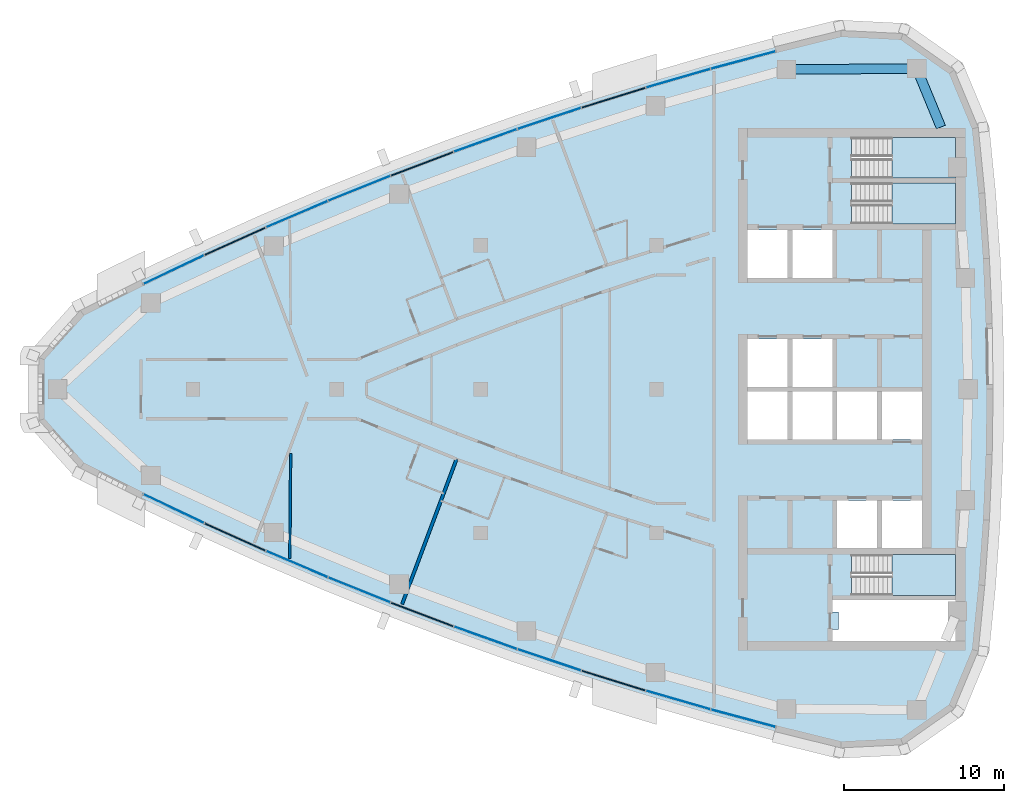
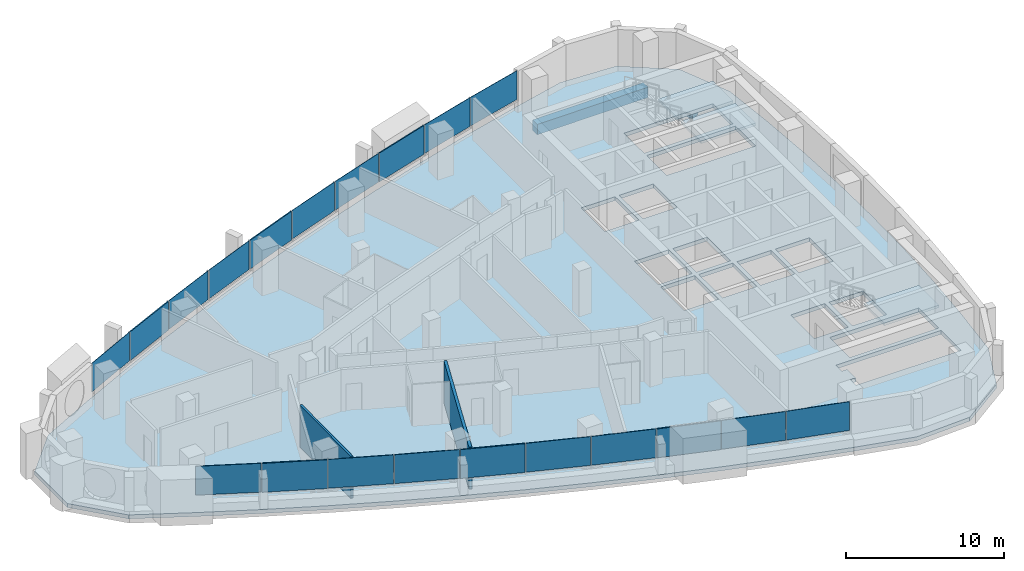
# One storey, part 7 of 15: 20 plates, 4 slabs, 2 beams, 2 walls, 1 opening, 13 elements without a shape of their own.
"""IFC4 building model written with IfcOpenShell, lengths in metres."""

from ifc_helpers import new_model, si_unit, direction, frame, frame_2d, origin, origin_2d, place, context, subcontext, project, spatial, polyline, rectangle, outline, extrude, material, layer, layer_set, material_profile, profile_set, type_object, element, aggregate, save


model = new_model("IFC4")

# Units and contexts
model_context = context("Model", 3, precision=1e-05, world=origin(), true_north=direction((0.0, 1.0)))
body_context = subcontext(model_context, "Body", "Model", "MODEL_VIEW")
ifc_project = project(units=[si_unit("LENGTHUNIT", "METRE"), si_unit("AREAUNIT", "SQUARE_METRE"), si_unit("VOLUMEUNIT", "CUBIC_METRE"), si_unit("PLANEANGLEUNIT", "RADIAN"), si_unit("MASSUNIT", "GRAM", prefix="KILO")], contexts=[model_context])

# Site, building, storey
site_placement = place(None, origin())
site = spatial("IfcSite", under=ifc_project, at=site_placement, CompositionType="ELEMENT")
building_placement = place(site_placement, origin())
building = spatial("IfcBuilding", under=site, at=building_placement, Name="Ostrand Prow Hotel Tower", CompositionType="ELEMENT")
storey_placement = place(building_placement, frame((0.0, 0.0, 235.0)))
storey = spatial("IfcBuildingStorey", under=building, at=storey_placement, Name="L59", CompositionType="ELEMENT", Elevation=235.0)

# Beams
ifc_material_1 = material(Name="Concrete C50/60", Category="concrete")
ifc_material_profile = material_profile(ifc_material_1, rectangle(XDim=0.60009765625, YDim=0.800048828125, at=origin_2d()), Name="RC 600x800")
ifc_profile_set = profile_set([ifc_material_profile], Name="Concrete C50/60")
beam_type = type_object("IfcBeamType", Name="Edge beam 600x800 C50/60", PredefinedType="SPANDREL", material=ifc_profile_set)
beam_1_placement = place(storey_placement, frame((62.7919921875, 16.39990234375, -0.699951171875), z_axis=(-0.380777709221, 0.924666608114, 0.0), x_axis=(-0.924666608114, -0.380777709221, 0.0)))
element("IfcBeam", 1, at=beam_1_placement, inside=storey, type_object=beam_type, Name="Edge beam B5-NE", PredefinedType="SPANDREL", context=body_context, shape_type="SweptSolid", body=[
    extrude(rectangle(XDim=0.60009765625, YDim=0.800048828125, at=origin_2d()), origin(), (0.0, 0.0, 1.0), 3.96044921875),
])
beam_2_placement = place(storey_placement, frame((61.283935546875, 20.06201171875, -0.699951171875), z_axis=(-0.999970657582, -0.007660546678, 0.0), x_axis=(0.007660546678, -0.999970657582, 0.0)))
element("IfcBeam", 2, at=beam_2_placement, inside=storey, type_object=beam_type, Name="Edge beam NE-N1", PredefinedType="SPANDREL", context=body_context, shape_type="SweptSolid", body=[
    extrude(rectangle(XDim=0.60009765625, YDim=0.800048828125, at=origin_2d()), origin(), (0.0, 0.0, 1.0), 8.15869140625),
])

# Curtain wall, plate
ifc_material_2 = material(Name="Insulated glass in bronze anodised frame", Category="glass")
ifc_layer_1 = layer(ifc_material_2, 0.199951171875)
ifc_layer_set_1 = layer_set([ifc_layer_1], Name="Insulated glass in bronze anodised frame")
curtain_wall_type = type_object("IfcCurtainWallType", Name="Strip curtain wall, fritted glass over bronze spandrel", PredefinedType="NOTDEFINED", material=ifc_layer_set_1)
curtain_wall_1_placement = place(storey_placement, origin())
curtain_wall_1 = element("IfcCurtainWall", 3, at=curtain_wall_1_placement, inside=storey, type_object=curtain_wall_type, Name="CW1 run CWS1", PredefinedType="NOTDEFINED")
ifc_material_3 = material(Name="Ceramic-fritted glass", Category="glass")
ifc_layer_2 = layer(ifc_material_3, 0.031982421875)
ifc_layer_set_2 = layer_set([ifc_layer_2], Name="Ceramic-fritted glass")
plate_type_1 = type_object("IfcPlateType", Name="Dot-fritted ceramic glass unit 32 mm", PredefinedType="CURTAIN_PANEL", material=ifc_layer_set_2)
plate_1_placement = place(storey_placement, frame((14.801025390625, -7.4765625, 1.02001953125), z_axis=(0.0, 0.0, 1.0), x_axis=(0.903370475577, -0.428861030937, 0.0)))
plate_1 = element("IfcPlate", 4, at=plate_1_placement, type_object=plate_type_1, Name="CW1 PN-D panel 1.2", PredefinedType="CURTAIN_PANEL", context=body_context, shape_type="SweptSolid", body=[
    extrude(rectangle(XDim=4.163818359375, YDim=0.031982421875, at=origin_2d()), origin(), (0.0, 0.0, 1.0), 2.22998046875),
])

# Curtain wall, plates
curtain_wall_2_placement = place(storey_placement, origin())
curtain_wall_2 = element("IfcCurtainWall", 5, at=curtain_wall_2_placement, inside=storey, type_object=curtain_wall_type, Name="CW1 run CWS2", PredefinedType="NOTDEFINED")
plate_2_placement = place(storey_placement, frame((22.502685546875, -10.944580078125, 1.02001953125), z_axis=(0.0, 0.0, 1.0), x_axis=(0.919907070112, -0.392136433347, 0.0)))
plate_2 = element("IfcPlate", 6, at=plate_2_placement, type_object=plate_type_1, Name="CW1 PN-D panel 1.2", PredefinedType="CURTAIN_PANEL", context=body_context, shape_type="SweptSolid", body=[
    extrude(rectangle(XDim=4.163818359375, YDim=0.031982421875, at=origin_2d()), origin(), (0.0, 0.0, 1.0), 2.22998046875),
])
plate_3_placement = place(storey_placement, frame((26.404541015625, -12.5615234375, 1.02001953125), z_axis=(0.0, 0.0, 1.0), x_axis=(0.927616710972, -0.373533449004, 0.0)))
plate_3 = element("IfcPlate", 7, at=plate_3_placement, type_object=plate_type_1, Name="CW1 PN-D panel 2.2", PredefinedType="CURTAIN_PANEL", context=body_context, shape_type="SweptSolid", body=[
    extrude(rectangle(XDim=4.163818359375, YDim=0.031982421875, at=origin_2d()), origin(), (0.0, 0.0, 1.0), 2.22998046875),
])
aggregate(curtain_wall_2, [plate_2, plate_3])

# Curtain wall, plate
curtain_wall_3_placement = place(storey_placement, origin())
curtain_wall_3 = element("IfcCurtainWall", 8, at=curtain_wall_3_placement, inside=storey, type_object=curtain_wall_type, Name="CW1 run CWS3", PredefinedType="NOTDEFINED")
plate_4_placement = place(storey_placement, frame((34.3017578125, -15.55810546875, 1.02001953125), z_axis=(0.0, 0.0, 1.0), x_axis=(0.941905718922, -0.335877383374, 0.0)))
plate_4 = element("IfcPlate", 9, at=plate_4_placement, type_object=plate_type_1, Name="CW1 PN-D panel 2.2", PredefinedType="CURTAIN_PANEL", context=body_context, shape_type="SweptSolid", body=[
    extrude(rectangle(XDim=4.163818359375, YDim=0.031982421875, at=origin_2d()), origin(), (0.0, 0.0, 1.0), 2.22998046875),
])

curtain_wall_4_placement = place(storey_placement, origin())
curtain_wall_4 = element("IfcCurtainWall", 10, at=curtain_wall_4_placement, inside=storey, type_object=curtain_wall_type, Name="CW1 run CWS4", PredefinedType="NOTDEFINED")
plate_5_placement = place(storey_placement, frame((38.2939453125, -16.9365234375, 1.02001953125), z_axis=(0.0, 0.0, 1.0), x_axis=(0.948478606268, -0.31684118017, 0.0)))
plate_5 = element("IfcPlate", 11, at=plate_5_placement, type_object=plate_type_1, Name="CW1 PN-D panel 1.2", PredefinedType="CURTAIN_PANEL", context=body_context, shape_type="SweptSolid", body=[
    extrude(rectangle(XDim=4.163818359375, YDim=0.031982421875, at=origin_2d()), origin(), (0.0, 0.0, 1.0), 2.22998046875),
])

# Curtain wall, plates
curtain_wall_5_placement = place(storey_placement, origin())
curtain_wall_5 = element("IfcCurtainWall", 12, at=curtain_wall_5_placement, inside=storey, type_object=curtain_wall_type, Name="CW1 run CWS5", PredefinedType="NOTDEFINED")
plate_6_placement = place(storey_placement, frame((46.357666015625, -19.450927734375, 1.02001953125), z_axis=(0.0, 0.0, 1.0), x_axis=(0.960467333745, -0.27839270969, 0.0)))
plate_6 = element("IfcPlate", 13, at=plate_6_placement, type_object=plate_type_1, Name="CW1 PN-D panel 1.2", PredefinedType="CURTAIN_PANEL", context=body_context, shape_type="SweptSolid", body=[
    extrude(rectangle(XDim=4.163818359375, YDim=0.031982421875, at=origin_2d()), origin(), (0.0, 0.0, 1.0), 2.22998046875),
])
plate_7_placement = place(storey_placement, frame((50.42578125, -20.5859375, 1.02001953125), z_axis=(0.0, 0.0, 1.0), x_axis=(0.965878831034, -0.258994370132, 0.0)))
plate_7 = element("IfcPlate", 14, at=plate_7_placement, type_object=plate_type_1, Name="CW1 PN-D panel 2.2", PredefinedType="CURTAIN_PANEL", context=body_context, shape_type="SweptSolid", body=[
    extrude(rectangle(XDim=4.163818359375, YDim=0.031982421875, at=origin_2d()), origin(), (0.0, 0.0, 1.0), 2.22998046875),
])
aggregate(curtain_wall_5, [plate_6, plate_7])

curtain_wall_6_placement = place(storey_placement, origin())
curtain_wall_6 = element("IfcCurtainWall", 15, at=curtain_wall_6_placement, inside=storey, type_object=curtain_wall_type, Name="CW1 run CWN1", PredefinedType="NOTDEFINED")
plate_8_placement = place(storey_placement, frame((50.42578125, 20.5859375, 1.02001953125), z_axis=(0.0, 0.0, 1.0), x_axis=(-0.965878831034, -0.258994370132, 0.0)))
plate_8 = element("IfcPlate", 16, at=plate_8_placement, type_object=plate_type_1, Name="CW1 PN-D panel 1.2", PredefinedType="CURTAIN_PANEL", context=body_context, shape_type="SweptSolid", body=[
    extrude(rectangle(XDim=4.163818359375, YDim=0.031982421875, at=origin_2d()), origin(), (0.0, 0.0, 1.0), 2.22998046875),
])
plate_9_placement = place(storey_placement, frame((46.357666015625, 19.450927734375, 1.02001953125), z_axis=(0.0, 0.0, 1.0), x_axis=(-0.960467333745, -0.27839270969, 0.0)))
plate_9 = element("IfcPlate", 17, at=plate_9_placement, type_object=plate_type_1, Name="CW1 PN-D panel 2.2", PredefinedType="CURTAIN_PANEL", context=body_context, shape_type="SweptSolid", body=[
    extrude(rectangle(XDim=4.163818359375, YDim=0.031982421875, at=origin_2d()), origin(), (0.0, 0.0, 1.0), 2.22998046875),
])
aggregate(curtain_wall_6, [plate_8, plate_9])

# Curtain wall, plate
curtain_wall_7_placement = place(storey_placement, origin())
curtain_wall_7 = element("IfcCurtainWall", 18, at=curtain_wall_7_placement, inside=storey, type_object=curtain_wall_type, Name="CW1 run CWN2", PredefinedType="NOTDEFINED")
plate_10_placement = place(storey_placement, frame((38.2939453125, 16.9365234375, 1.02001953125), z_axis=(0.0, 0.0, 1.0), x_axis=(-0.948478606268, -0.31684118017, 0.0)))
plate_10 = element("IfcPlate", 19, at=plate_10_placement, type_object=plate_type_1, Name="CW1 PN-D panel 2.2", PredefinedType="CURTAIN_PANEL", context=body_context, shape_type="SweptSolid", body=[
    extrude(rectangle(XDim=4.163818359375, YDim=0.031982421875, at=origin_2d()), origin(), (0.0, 0.0, 1.0), 2.22998046875),
])

curtain_wall_8_placement = place(storey_placement, origin())
curtain_wall_8 = element("IfcCurtainWall", 20, at=curtain_wall_8_placement, inside=storey, type_object=curtain_wall_type, Name="CW1 run CWN3", PredefinedType="NOTDEFINED")
plate_11_placement = place(storey_placement, frame((34.3017578125, 15.55810546875, 1.02001953125), z_axis=(0.0, 0.0, 1.0), x_axis=(-0.941905718922, -0.335877383374, 0.0)))
plate_11 = element("IfcPlate", 21, at=plate_11_placement, type_object=plate_type_1, Name="CW1 PN-D panel 1.2", PredefinedType="CURTAIN_PANEL", context=body_context, shape_type="SweptSolid", body=[
    extrude(rectangle(XDim=4.163818359375, YDim=0.031982421875, at=origin_2d()), origin(), (0.0, 0.0, 1.0), 2.22998046875),
])

# Curtain wall, plates
curtain_wall_9_placement = place(storey_placement, origin())
curtain_wall_9 = element("IfcCurtainWall", 22, at=curtain_wall_9_placement, inside=storey, type_object=curtain_wall_type, Name="CW1 run CWN4", PredefinedType="NOTDEFINED")
plate_12_placement = place(storey_placement, frame((26.404541015625, 12.5615234375, 1.02001953125), z_axis=(0.0, 0.0, 1.0), x_axis=(-0.927616710972, -0.373533449004, 0.0)))
plate_12 = element("IfcPlate", 23, at=plate_12_placement, type_object=plate_type_1, Name="CW1 PN-D panel 1.2", PredefinedType="CURTAIN_PANEL", context=body_context, shape_type="SweptSolid", body=[
    extrude(rectangle(XDim=4.163818359375, YDim=0.031982421875, at=origin_2d()), origin(), (0.0, 0.0, 1.0), 2.22998046875),
])
plate_13_placement = place(storey_placement, frame((22.502685546875, 10.944580078125, 1.02001953125), z_axis=(0.0, 0.0, 1.0), x_axis=(-0.919907070112, -0.392136433347, 0.0)))
plate_13 = element("IfcPlate", 24, at=plate_13_placement, type_object=plate_type_1, Name="CW1 PN-D panel 2.2", PredefinedType="CURTAIN_PANEL", context=body_context, shape_type="SweptSolid", body=[
    extrude(rectangle(XDim=4.163818359375, YDim=0.031982421875, at=origin_2d()), origin(), (0.0, 0.0, 1.0), 2.22998046875),
])
aggregate(curtain_wall_9, [plate_12, plate_13])

# Curtain wall, plate
curtain_wall_10_placement = place(storey_placement, origin())
curtain_wall_10 = element("IfcCurtainWall", 25, at=curtain_wall_10_placement, inside=storey, type_object=curtain_wall_type, Name="CW1 run CWN5", PredefinedType="NOTDEFINED")
plate_14_placement = place(storey_placement, frame((14.801025390625, 7.4765625, 1.02001953125), z_axis=(0.0, 0.0, 1.0), x_axis=(-0.903370475577, -0.428861030937, 0.0)))
plate_14 = element("IfcPlate", 26, at=plate_14_placement, type_object=plate_type_1, Name="CW1 PN-D panel 2.2", PredefinedType="CURTAIN_PANEL", context=body_context, shape_type="SweptSolid", body=[
    extrude(rectangle(XDim=4.163818359375, YDim=0.031982421875, at=origin_2d()), origin(), (0.0, 0.0, 1.0), 2.22998046875),
])

# Plate
ifc_material_4 = material(Name="Fritted glass in bronze vent frame", Category="glass")
ifc_layer_3 = layer(ifc_material_4, 0.080078125)
ifc_layer_set_3 = layer_set([ifc_layer_3], Name="Fritted glass in bronze vent frame")
plate_type_2 = type_object("IfcPlateType", Name="Operable vent panel 80 mm", PredefinedType="CURTAIN_PANEL", material=ifc_layer_set_3)
plate_15_placement = place(storey_placement, frame((18.634521484375, -9.249267578125, 1.02001953125), z_axis=(0.0, 0.0, 1.0), x_axis=(0.911823681514, -0.41058199404, 0.0)))
plate_15 = element("IfcPlate", 27, at=plate_15_placement, type_object=plate_type_2, Name="CW1 PN-O2 panel 2.2", PredefinedType="CURTAIN_PANEL", context=body_context, shape_type="SweptSolid", body=[
    extrude(rectangle(XDim=4.163818359375, YDim=0.080078125, at=origin_2d()), origin(), (0.0, 0.0, 1.0), 2.22998046875),
])

aggregate(curtain_wall_1, [plate_1, plate_15])

plate_16_placement = place(storey_placement, frame((30.337890625, -14.099609375, 1.02001953125), z_axis=(0.0, 0.0, 1.0), x_axis=(0.934950813567, -0.354777361469, 0.0)))
plate_16 = element("IfcPlate", 28, at=plate_16_placement, type_object=plate_type_2, Name="CW1 PN-O2 panel 1.2", PredefinedType="CURTAIN_PANEL", context=body_context, shape_type="SweptSolid", body=[
    extrude(rectangle(XDim=4.163818359375, YDim=0.080078125, at=origin_2d()), origin(), (0.0, 0.0, 1.0), 2.22998046875),
])

aggregate(curtain_wall_3, [plate_16, plate_4])

plate_17_placement = place(storey_placement, frame((42.31298828125, -18.234375, 1.02001953125), z_axis=(0.0, 0.0, 1.0), x_axis=(0.95466629023, -0.297678138765, 0.0)))
plate_17 = element("IfcPlate", 29, at=plate_17_placement, type_object=plate_type_2, Name="CW1 PN-O2 panel 2.2", PredefinedType="CURTAIN_PANEL", context=body_context, shape_type="SweptSolid", body=[
    extrude(rectangle(XDim=4.163818359375, YDim=0.080078125, at=origin_2d()), origin(), (0.0, 0.0, 1.0), 2.22998046875),
])

aggregate(curtain_wall_4, [plate_5, plate_17])

plate_18_placement = place(storey_placement, frame((42.31298828125, 18.234375, 1.02001953125), z_axis=(0.0, 0.0, 1.0), x_axis=(-0.95466629023, -0.297678138765, 0.0)))
plate_18 = element("IfcPlate", 30, at=plate_18_placement, type_object=plate_type_2, Name="CW1 PN-O2 panel 1.2", PredefinedType="CURTAIN_PANEL", context=body_context, shape_type="SweptSolid", body=[
    extrude(rectangle(XDim=4.163818359375, YDim=0.080078125, at=origin_2d()), origin(), (0.0, 0.0, 1.0), 2.22998046875),
])

aggregate(curtain_wall_7, [plate_18, plate_10])

plate_19_placement = place(storey_placement, frame((30.337890625, 14.099609375, 1.02001953125), z_axis=(0.0, 0.0, 1.0), x_axis=(-0.934950813567, -0.354777361469, 0.0)))
plate_19 = element("IfcPlate", 31, at=plate_19_placement, type_object=plate_type_2, Name="CW1 PN-O2 panel 2.2", PredefinedType="CURTAIN_PANEL", context=body_context, shape_type="SweptSolid", body=[
    extrude(rectangle(XDim=4.163818359375, YDim=0.080078125, at=origin_2d()), origin(), (0.0, 0.0, 1.0), 2.22998046875),
])

aggregate(curtain_wall_8, [plate_11, plate_19])

plate_20_placement = place(storey_placement, frame((18.634521484375, 9.249267578125, 1.02001953125), z_axis=(0.0, 0.0, 1.0), x_axis=(-0.911823681514, -0.41058199404, 0.0)))
plate_20 = element("IfcPlate", 32, at=plate_20_placement, type_object=plate_type_2, Name="CW1 PN-O2 panel 1.2", PredefinedType="CURTAIN_PANEL", context=body_context, shape_type="SweptSolid", body=[
    extrude(rectangle(XDim=4.163818359375, YDim=0.080078125, at=origin_2d()), origin(), (0.0, 0.0, 1.0), 2.22998046875),
])

aggregate(curtain_wall_10, [plate_20, plate_14])

# Slab, opening
ifc_material_5 = material(Name="Concrete C40/50", Category="concrete")
ifc_layer_4 = layer(ifc_material_5, 0.300048828125)
ifc_layer_set_4 = layer_set([ifc_layer_4], Name="Concrete C40/50")
slab_type_1 = type_object("IfcSlabType", Name="PT flat plate 300 C40/50", PredefinedType="FLOOR", material=ifc_layer_set_4)
slab_1_placement = place(storey_placement, frame((0.0, 0.0, -0.300048828125)))
slab_1 = element("IfcSlab", 33, at=slab_1_placement, inside=storey, type_object=slab_type_1, Name="Floor slab L59-1", PredefinedType="FLOOR", context=body_context, shape_type="SweptSolid", body=[
    extrude(outline(polyline([(8.85205078125, 5.097412109375), (12.679443359375, 7.009765625), (16.50390625, 8.825439453125), (20.364013671875, 10.563720703125), (24.258544921875, 12.223876953125), (28.185791015625, 13.80517578125), (32.143798828125, 15.30712890625), (36.131591796875, 16.72900390625), (40.14697265625, 18.0703125), (44.188720703125, 19.330810546875), (48.2548828125, 20.50927734375), (52.343994140625, 21.605712890625), (56.4873046875, 22.627685546875), (60.48193359375, 22.4287109375), (63.7822265625, 20.107177734375), (65.320068359375, 16.414794921875), (65.728515625, 12.29736328125), (66.018310546875, 8.20361328125), (66.19189453125, 4.103515625), (66.25, 0.0), (66.19189453125, -4.103515625), (66.018310546875, -8.20361328125), (65.728515625, -12.29736328125), (65.320068359375, -16.414794921875), (63.7822265625, -20.107177734375), (60.48193359375, -22.4287109375), (56.4873046875, -22.627685546875), (52.343994140625, -21.605712890625), (48.2548828125, -20.50927734375), (44.188720703125, -19.330810546875), (40.14697265625, -18.0703125), (36.131591796875, -16.72900390625), (32.143798828125, -15.30712890625), (28.185791015625, -13.80517578125), (24.258544921875, -12.223876953125), (20.364013671875, -10.563720703125), (16.50390625, -8.825439453125), (12.679443359375, -7.009765625), (8.85205078125, -5.097412109375), (6.127685546875, -2.06298828125), (6.127685546875, 2.06298828125), (8.85205078125, 5.097412109375)]), holes=[polyline([(50.699951171875, 6.949951171875), (53.199951171875, 6.949951171875), (53.199951171875, 9.949951171875), (50.699951171875, 9.949951171875), (50.699951171875, 6.949951171875)]), polyline([(53.5, 6.949951171875), (56.0, 6.949951171875), (56.0, 9.949951171875), (53.5, 9.949951171875), (53.5, 6.949951171875)]), polyline([(50.699951171875, 0.14990234375), (53.199951171875, 0.14990234375), (53.199951171875, 3.14990234375), (50.699951171875, 3.14990234375), (50.699951171875, 0.14990234375)]), polyline([(53.5, 0.14990234375), (56.0, 0.14990234375), (56.0, 3.14990234375), (53.5, 3.14990234375), (53.5, 0.14990234375)]), polyline([(50.699951171875, -3.14990234375), (53.199951171875, -3.14990234375), (53.199951171875, -0.14990234375), (50.699951171875, -0.14990234375), (50.699951171875, -3.14990234375)]), polyline([(53.5, -3.14990234375), (56.0, -3.14990234375), (56.0, -0.14990234375), (53.5, -0.14990234375), (53.5, -3.14990234375)]), polyline([(56.300048828125, -3.14990234375), (58.800048828125, -3.14990234375), (58.800048828125, -0.14990234375), (56.300048828125, -0.14990234375), (56.300048828125, -3.14990234375)]), polyline([(59.10009765625, -3.14990234375), (61.60009765625, -3.14990234375), (61.60009765625, -0.14990234375), (59.10009765625, -0.14990234375), (59.10009765625, -3.14990234375)]), polyline([(56.300048828125, -9.949951171875), (58.800048828125, -9.949951171875), (58.800048828125, -6.949951171875), (56.300048828125, -6.949951171875), (56.300048828125, -9.949951171875)]), polyline([(59.10009765625, -9.949951171875), (61.60009765625, -9.949951171875), (61.60009765625, -6.949951171875), (59.10009765625, -6.949951171875), (59.10009765625, -9.949951171875)]), polyline([(57.200927734375, 10.35107421875), (57.200927734375, 12.89892578125), (63.718994140625, 12.89892578125), (63.718994140625, 10.35107421875), (57.200927734375, 10.35107421875)]), polyline([(57.200927734375, 13.200927734375), (57.200927734375, 15.7490234375), (63.718994140625, 15.7490234375), (63.718994140625, 13.200927734375), (57.200927734375, 13.200927734375)]), polyline([(57.200927734375, -12.89892578125), (57.200927734375, -10.35107421875), (63.718994140625, -10.35107421875), (63.718994140625, -12.89892578125), (57.200927734375, -12.89892578125)]), polyline([(56.0, -13.949951171875), (56.0, -13.199951171875), (63.719970703125, -13.199951171875), (63.719970703125, -15.75), (56.0, -15.75), (56.0, -15.050048828125), (56.39990234375, -15.050048828125), (56.39990234375, -13.949951171875), (56.0, -13.949951171875)])]), origin(), (0.0, 0.0, 1.0), 0.300048828125),
])
opening_placement = place(slab_1_placement, origin())
element("IfcOpeningElement", 34, at=opening_placement, cuts=slab_1, Name="Shaft opening 1", PredefinedType="OPENING", context=body_context, shape_type="SweptSolid", body=[
    extrude(outline(polyline([(56.0, -13.949951171875), (56.0, -13.199951171875), (63.719970703125, -13.199951171875), (63.719970703125, -15.75), (56.0, -15.75), (56.0, -15.050048828125), (56.39990234375, -15.050048828125), (56.39990234375, -13.949951171875), (56.0, -13.949951171875)])), origin(), (0.0, 0.0, 1.0), 0.300048828125),
])

# Stair, slab
ifc_material_6 = material(Name="Concrete C40/50", Category="concrete")
stair_type = type_object("IfcStairType", Name="Exit stair 1200 upper zone", PredefinedType="HALF_TURN_STAIR", material=ifc_material_6)
stair_1_placement = place(storey_placement, origin())
stair_1 = element("IfcStair", 35, at=stair_1_placement, inside=storey, type_object=stair_type, Name="L59 ST1C", PredefinedType="HALF_TURN_STAIR")
ifc_material_7 = material(Name="Concrete C40/50", Category="concrete")
ifc_layer_5 = layer(ifc_material_7, 0.199951171875)
ifc_layer_set_5 = layer_set([ifc_layer_5], Name="Concrete C40/50")
slab_type_2 = type_object("IfcSlabType", Name="Stair landing 200 concrete", PredefinedType="LANDING", material=ifc_layer_set_5)
slab_2_placement = place(storey_placement, frame((0.0, 0.0, 1.574951171875)))
slab_2 = element("IfcSlab", 36, at=slab_2_placement, type_object=slab_type_2, Name="ST1C landing 1", PredefinedType="LANDING", context=body_context, shape_type="SweptSolid", body=[
    extrude(outline(polyline([(59.719970703125, 10.35009765625), (63.719970703125, 10.35009765625), (63.719970703125, 12.89990234375), (59.719970703125, 12.89990234375), (59.719970703125, 10.35009765625)])), origin(), (0.0, 0.0, 1.0), 0.199951171875),
])
aggregate(stair_1, [slab_2])

stair_2_placement = place(storey_placement, origin())
stair_2 = element("IfcStair", 37, at=stair_2_placement, inside=storey, type_object=stair_type, Name="L59 ST3C", PredefinedType="HALF_TURN_STAIR")
slab_3_placement = place(storey_placement, frame((0.0, 0.0, 1.574951171875)))
slab_3 = element("IfcSlab", 38, at=slab_3_placement, type_object=slab_type_2, Name="ST3C landing 1", PredefinedType="LANDING", context=body_context, shape_type="SweptSolid", body=[
    extrude(outline(polyline([(59.719970703125, 13.199951171875), (63.719970703125, 13.199951171875), (63.719970703125, 15.75), (59.719970703125, 15.75), (59.719970703125, 13.199951171875)])), origin(), (0.0, 0.0, 1.0), 0.199951171875),
])
aggregate(stair_2, [slab_3])

stair_3_placement = place(storey_placement, origin())
stair_3 = element("IfcStair", 39, at=stair_3_placement, inside=storey, type_object=stair_type, Name="L59 ST2C", PredefinedType="HALF_TURN_STAIR")
slab_4_placement = place(storey_placement, frame((0.0, 0.0, 1.574951171875)))
slab_4 = element("IfcSlab", 40, at=slab_4_placement, type_object=slab_type_2, Name="ST2C landing 1", PredefinedType="LANDING", context=body_context, shape_type="SweptSolid", body=[
    extrude(outline(polyline([(59.719970703125, -12.89990234375), (63.719970703125, -12.89990234375), (63.719970703125, -10.35009765625), (59.719970703125, -10.35009765625), (59.719970703125, -12.89990234375)])), origin(), (0.0, 0.0, 1.0), 0.199951171875),
])
aggregate(stair_3, [slab_4])

# Walls
ifc_material_8 = material(Name="Plasterboard partition")
ifc_layer_6 = layer(ifc_material_8, 0.14990234375)
ifc_layer_set_6 = layer_set([ifc_layer_6], Name="Plasterboard partition")
wall_type_1 = type_object("IfcWallType", Name="Partition 150 room partition", PredefinedType="PARTITIONING", material=ifc_layer_set_6)
wall_1_placement = place(storey_placement, frame((22.1123046875, -4.022705078125, 0.0), z_axis=(0.0, 0.0, 1.0), x_axis=(-0.008379594055, -0.999964890585, 0.0)))
element("IfcWall", 41, at=wall_1_placement, inside=storey, type_object=wall_type_1, Name="ROOM PARTITION", PredefinedType="PARTITIONING", context=body_context, shape_type="SweptSolid", body=[
    extrude(rectangle(XDim=6.555419921875, YDim=0.14990234375, at=frame_2d((3.27783203125, 0.0))), origin(), (0.0, 0.0, 1.0), 3.25),
])
ifc_material_9 = material(Name="Plasterboard partition")
ifc_layer_7 = layer(ifc_material_9, 0.199951171875)
ifc_layer_set_7 = layer_set([ifc_layer_7], Name="Plasterboard partition")
wall_type_2 = type_object("IfcWallType", Name="Partition 200 key partition", PredefinedType="PARTITIONING", material=ifc_layer_set_7)
wall_2_placement = place(storey_placement, frame((29.085693359375, -13.451416015625, 0.0), z_axis=(0.0, 0.0, 1.0), x_axis=(0.351128958016, 0.93632710889, 0.0)))
element("IfcWall", 42, at=wall_2_placement, inside=storey, type_object=wall_type_2, Name="KEY PARTITION", PredefinedType="PARTITIONING", context=body_context, shape_type="SweptSolid", body=[
    extrude(rectangle(XDim=9.7001953125, YDim=0.199951171875, at=frame_2d((4.85009765625, 0.0))), origin(), (0.0, 0.0, 1.0), 3.25),
])

save(model, "model.ifc")
